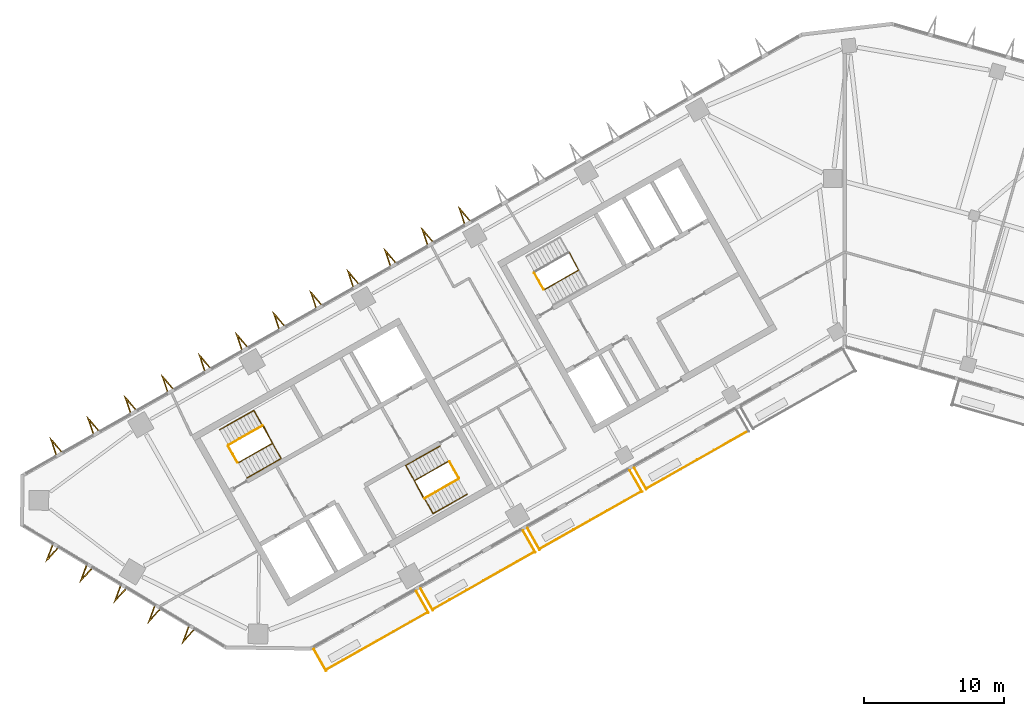
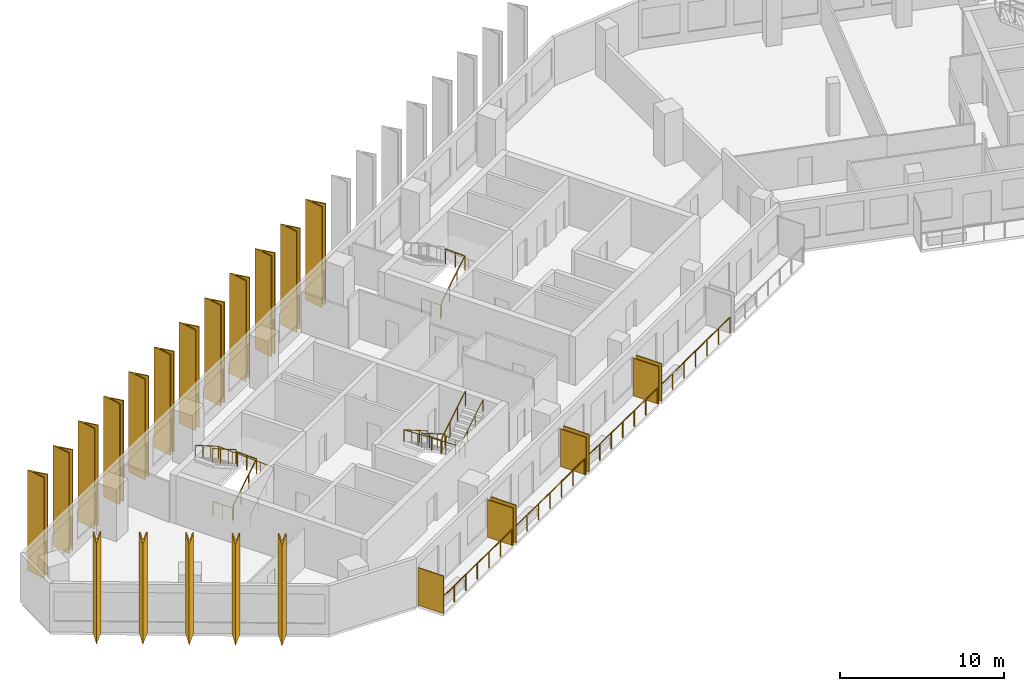
# One storey, part 9 of 11: 24 shading devices, 14 railings.
"""IFC4 building model written with IfcOpenShell, lengths in metres."""

from ifc_helpers import new_model, si_unit, direction, frame, origin, origin_2d, place, context, subcontext, project, spatial, polyline, rectangle, circle, outline, extrude, material, layer, layer_set, type_object, element, save


model = new_model("IFC4")

# Units and contexts
model_context = context("Model", 3, precision=1e-05, world=origin(), true_north=direction((0.0, 1.0)))
body_context = subcontext(model_context, "Body", "Model", "MODEL_VIEW")
ifc_project = project(units=[si_unit("LENGTHUNIT", "METRE"), si_unit("AREAUNIT", "SQUARE_METRE"), si_unit("VOLUMEUNIT", "CUBIC_METRE"), si_unit("PLANEANGLEUNIT", "RADIAN"), si_unit("MASSUNIT", "GRAM", prefix="KILO")], contexts=[model_context])

# Site, building, storey
site_placement = place(None, origin())
site = spatial("IfcSite", under=ifc_project, at=site_placement, CompositionType="ELEMENT")
building_placement = place(site_placement, origin())
building = spatial("IfcBuilding", under=site, at=building_placement, Name="Binnacle Exchange Tower", CompositionType="ELEMENT")
storey_placement = place(building_placement, frame((0.0, 0.0, 207.5)))
storey = spatial("IfcBuildingStorey", under=building, at=storey_placement, Name="L45", CompositionType="ELEMENT", Elevation=207.5)

# Railings
ifc_material_1 = material(Name="Bronze anodised aluminium frame", Category="aluminium")
railing_type_1 = type_object("IfcRailingType", Name="GUARD 1200", PredefinedType="GUARDRAIL", material=ifc_material_1)
railing_1_placement = place(storey_placement, frame((-37.006591796875, 24.94287109375, 0.0)))
element("IfcRailing", 1, at=railing_1_placement, inside=storey, type_object=railing_type_1, Name="Balcony guard G01-B00 L45", PredefinedType="GUARDRAIL", context=body_context, shape_type="SweptSolid", body=[
    extrude(circle(Radius=0.02392578125, at=origin_2d()), frame((0.0, 0.0, 1.17578125), z_axis=(0.870353267448, 0.492427852424, 0.0), x_axis=(-0.492427852424, 0.870353267448, 0.0)), (0.0, 0.0, 1.0), 8.334716796875),
    extrude(circle(Radius=0.02099609375, at=origin_2d()), origin(), (0.0, 0.0, 1.0), 1.15185546875),
    extrude(circle(Radius=0.02099609375, at=origin_2d()), frame((1.208984375, 0.68408203125, 0.0)), (0.0, 0.0, 1.0), 1.15185546875),
    extrude(circle(Radius=0.02099609375, at=origin_2d()), frame((2.41796875, 1.3681640625, 0.0)), (0.0, 0.0, 1.0), 1.15185546875),
    extrude(circle(Radius=0.02099609375, at=origin_2d()), frame((3.626953125, 2.05224609375, 0.0)), (0.0, 0.0, 1.0), 1.15185546875),
    extrude(circle(Radius=0.02099609375, at=origin_2d()), frame((4.836181640625, 2.736083984375, 0.0)), (0.0, 0.0, 1.0), 1.15185546875),
    extrude(circle(Radius=0.02099609375, at=origin_2d()), frame((6.045166015625, 3.420166015625, 0.0)), (0.0, 0.0, 1.0), 1.15185546875),
    extrude(circle(Radius=0.02099609375, at=origin_2d()), frame((7.254150390625, 4.104248046875, 0.0)), (0.0, 0.0, 1.0), 1.15185546875),
])
railing_2_placement = place(storey_placement, frame((-29.386962890625, 29.25390625, 0.0)))
element("IfcRailing", 2, at=railing_2_placement, inside=storey, type_object=railing_type_1, Name="Balcony guard G01-B01 L45", PredefinedType="GUARDRAIL", context=body_context, shape_type="SweptSolid", body=[
    extrude(circle(Radius=0.02392578125, at=origin_2d()), frame((0.0, 0.0, 1.17578125), z_axis=(0.870365821494, 0.492405662818, 0.0), x_axis=(-0.492405662818, 0.870365821494, 0.0)), (0.0, 0.0, 1.0), 8.334716796875),
    extrude(circle(Radius=0.02099609375, at=origin_2d()), origin(), (0.0, 0.0, 1.0), 1.15185546875),
    extrude(circle(Radius=0.02099609375, at=origin_2d()), frame((1.208984375, 0.68408203125, 0.0)), (0.0, 0.0, 1.0), 1.15185546875),
    extrude(circle(Radius=0.02099609375, at=origin_2d()), frame((2.41796875, 1.367919921875, 0.0)), (0.0, 0.0, 1.0), 1.15185546875),
    extrude(circle(Radius=0.02099609375, at=origin_2d()), frame((3.626953125, 2.052001953125, 0.0)), (0.0, 0.0, 1.0), 1.15185546875),
    extrude(circle(Radius=0.02099609375, at=origin_2d()), frame((4.836181640625, 2.736083984375, 0.0)), (0.0, 0.0, 1.0), 1.15185546875),
    extrude(circle(Radius=0.02099609375, at=origin_2d()), frame((6.045166015625, 3.419921875, 0.0)), (0.0, 0.0, 1.0), 1.15185546875),
    extrude(circle(Radius=0.02099609375, at=origin_2d()), frame((7.254150390625, 4.10400390625, 0.0)), (0.0, 0.0, 1.0), 1.15185546875),
])
for number, where, name in (
    (3, (-21.767333984375, 33.564697265625, 0.0), "Balcony guard G01-B02 L45"),
    (4, (-14.147705078125, 37.875732421875, 0.0), "Balcony guard G01-B03 L45"),
):
    element("IfcRailing", number, at=place(storey_placement, frame(where)), inside=storey, type_object=railing_type_1, Name=name, PredefinedType="GUARDRAIL", context=body_context, shape_type="SweptSolid", body=[
        extrude(circle(Radius=0.02392578125, at=origin_2d()), frame((0.0, 0.0, 1.17578125), z_axis=(0.8703461643, 0.49244040684, 0.0), x_axis=(-0.49244040684, 0.8703461643, 0.0)), (0.0, 0.0, 1.0), 8.33447265625),
        extrude(circle(Radius=0.02099609375, at=origin_2d()), origin(), (0.0, 0.0, 1.0), 1.15185546875),
        extrude(circle(Radius=0.02099609375, at=origin_2d()), frame((1.208984375, 0.68408203125, 0.0)), (0.0, 0.0, 1.0), 1.15185546875),
        extrude(circle(Radius=0.02099609375, at=origin_2d()), frame((2.41796875, 1.3681640625, 0.0)), (0.0, 0.0, 1.0), 1.15185546875),
        extrude(circle(Radius=0.02099609375, at=origin_2d()), frame((3.626953125, 2.05224609375, 0.0)), (0.0, 0.0, 1.0), 1.15185546875),
        extrude(circle(Radius=0.02099609375, at=origin_2d()), frame((4.8359375, 2.736083984375, 0.0)), (0.0, 0.0, 1.0), 1.15185546875),
        extrude(circle(Radius=0.02099609375, at=origin_2d()), frame((6.044921875, 3.420166015625, 0.0)), (0.0, 0.0, 1.0), 1.15185546875),
        extrude(circle(Radius=0.02099609375, at=origin_2d()), frame((7.25390625, 4.104248046875, 0.0)), (0.0, 0.0, 1.0), 1.15185546875),
    ])

# Shading devices
ifc_material_2 = material(Name="Bronze aluminium louvre", Category="aluminium")
ifc_layer = layer(ifc_material_2, 0.06005859375)
ifc_layer_set = layer_set([ifc_layer], Name="PLANTED SCREEN 60x2800")
shading_device_type_1 = type_object("IfcShadingDeviceType", Name="PLANTED SCREEN 60x2800", PredefinedType="USERDEFINED", material=ifc_layer_set)
for number, where, z_axis, x_axis, name in (
    (5, (-37.436279296875, 25.641845703125, 0.0), (0.0, 0.0, 1.0), (0.87035569594, 0.492423560103, 0.0), "Planted screen G01-B00a L45"),
    (6, (-30.130126953125, 29.775390625, 0.0), (0.0, 0.0, 1.0), (0.87035569594, 0.492423560103, 0.0), "Planted screen G01-B00b L45"),
    (7, (-29.81689453125, 29.95263671875, 0.0), (0.0, 0.0, 1.0), (0.87035569594, 0.492423560103, 0.0), "Planted screen G01-B01a L45"),
    (8, (-22.510498046875, 34.08642578125, 0.0), (0.0, 0.0, 1.0), (0.87035569594, 0.492423560103, 0.0), "Planted screen G01-B01b L45"),
    (9, (-22.197265625, 34.263671875, 0.0), (0.0, 0.0, 1.0), (0.87035569594, 0.492423560103, 0.0), "Planted screen G01-B02a L45"),
    (10, (-14.89111328125, 38.3974609375, 0.0), (0.0, 0.0, 1.0), (0.87035569594, 0.492423560103, 0.0), "Planted screen G01-B02b L45"),
    (11, (-14.57763671875, 38.57470703125, 0.0), (0.0, 0.0, 1.0), (0.87035569594, 0.492423560103, 0.0), "Planted screen G01-B03a L45"),
):
    element("IfcShadingDevice", number, at=place(storey_placement, frame(where, z_axis=z_axis, x_axis=x_axis)), inside=storey, type_object=shading_device_type_1, Name=name, ObjectType="SCREEN", PredefinedType="USERDEFINED", context=body_context, shape_type="SweptSolid", body=[
        extrude(rectangle(XDim=0.06005859375, YDim=1.800048828125, at=origin_2d()), origin(), (0.0, 0.0, 1.0), 2.800048828125),
    ])

# Railings
ifc_material_3 = material(Name="Steel guard rail", Category="steel")
railing_type_2 = type_object("IfcRailingType", Name="STAIR GUARD 1100", PredefinedType="GUARDRAIL", material=ifc_material_3)
railing_3_placement = place(storey_placement, frame((-43.26171875, 39.71728515625, 0.17724609375)))
element("IfcRailing", 12, at=railing_3_placement, inside=storey, type_object=railing_type_2, Name="L45 STA1 stair guard 1", PredefinedType="GUARDRAIL", context=body_context, shape_type="SweptSolid", body=[
    extrude(circle(Radius=0.02392578125, at=origin_2d()), frame((0.0, 0.0, 1.076171875), z_axis=(0.735358749054, 0.416079564682, 0.534906819964), x_axis=(-0.492453686477, 0.870338650569, 0.0)), (0.0, 0.0, 1.0), 3.31396484375),
    extrude(circle(Radius=0.02392578125, at=origin_2d()), frame((2.43701171875, 1.37890625, 2.8486328125), z_axis=(-0.461100321709, 0.887348011391, 0.0), x_axis=(-0.887348011391, -0.461100321709, 0.0)), (0.0, 0.0, 1.0), 1.40087890625),
    extrude(circle(Radius=0.02099609375, at=origin_2d()), origin(), (0.0, 0.0, 1.0), 1.052001953125),
    extrude(circle(Radius=0.02099609375, at=origin_2d()), frame((0.812255859375, 0.459716796875, 0.5908203125)), (0.0, 0.0, 1.0), 1.052001953125),
    extrude(circle(Radius=0.02099609375, at=origin_2d()), frame((1.624755859375, 0.919189453125, 1.181884765625)), (0.0, 0.0, 1.0), 1.052001953125),
    extrude(circle(Radius=0.02099609375, at=origin_2d()), frame((2.43701171875, 1.37890625, 1.772705078125)), (0.0, 0.0, 1.0), 1.052001953125),
    extrude(circle(Radius=0.02099609375, at=origin_2d()), frame((2.114013671875, 2.00048828125, 1.772705078125)), (0.0, 0.0, 1.0), 1.052001953125),
    extrude(circle(Radius=0.02099609375, at=origin_2d()), frame((1.791015625, 2.6220703125, 1.772705078125)), (0.0, 0.0, 1.0), 1.052001953125),
])
railing_4_placement = place(storey_placement, frame((-41.538818359375, 42.358154296875, 2.127197265625)))
element("IfcRailing", 13, at=railing_4_placement, inside=storey, type_object=railing_type_2, Name="L45 STA1 stair guard 2", PredefinedType="GUARDRAIL", context=body_context, shape_type="SweptSolid", body=[
    extrude(circle(Radius=0.02392578125, at=origin_2d()), frame((0.0, 0.0, 1.076171875), z_axis=(-0.735358749054, -0.416079564682, 0.534906819964), x_axis=(0.492453686477, -0.870338650569, 0.0)), (0.0, 0.0, 1.0), 3.31396484375),
    extrude(circle(Radius=0.02099609375, at=origin_2d()), origin(), (0.0, 0.0, 1.0), 1.052001953125),
    extrude(circle(Radius=0.02099609375, at=origin_2d()), frame((-0.812255859375, -0.459716796875, 0.5908203125)), (0.0, 0.0, 1.0), 1.052001953125),
    extrude(circle(Radius=0.02099609375, at=origin_2d()), frame((-1.624755859375, -0.919189453125, 1.181884765625)), (0.0, 0.0, 1.0), 1.052001953125),
    extrude(circle(Radius=0.02099609375, at=origin_2d()), frame((-2.43701171875, -1.37890625, 1.772705078125)), (0.0, 0.0, 1.0), 1.052001953125),
])
railing_5_placement = place(storey_placement, frame((-43.329833984375, 39.736328125, 0.0)))
element("IfcRailing", 14, at=railing_5_placement, inside=storey, type_object=railing_type_2, Name="L45 STA1 stair guard 3", PredefinedType="GUARDRAIL", context=body_context, shape_type="SweptSolid", body=[
    extrude(circle(Radius=0.02392578125, at=origin_2d()), frame((0.0, 0.0, 1.076171875), z_axis=(-0.4924922531, 0.870316827734, 0.0), x_axis=(-0.870316827734, -0.4924922531, 0.0)), (0.0, 0.0, 1.0), 1.349853515625),
    extrude(circle(Radius=0.02099609375, at=origin_2d()), origin(), (0.0, 0.0, 1.0), 1.052001953125),
    extrude(circle(Radius=0.02099609375, at=origin_2d()), frame((-0.33251953125, 0.58740234375, 0.0)), (0.0, 0.0, 1.0), 1.052001953125),
    extrude(circle(Radius=0.02099609375, at=origin_2d()), frame((-0.664794921875, 1.1748046875, 0.0)), (0.0, 0.0, 1.0), 1.052001953125),
])
railing_6_placement = place(storey_placement, frame((-28.265380859375, 39.814453125, 0.17724609375)))
element("IfcRailing", 15, at=railing_6_placement, inside=storey, type_object=railing_type_2, Name="L45 STA2 stair guard 1", PredefinedType="GUARDRAIL", context=body_context, shape_type="SweptSolid", body=[
    extrude(circle(Radius=0.02392578125, at=origin_2d()), frame((0.0, 0.0, 1.076171875), z_axis=(-0.735381288273, -0.416018647052, 0.534923215202), x_axis=(0.492387636113, -0.870376019777, 0.0)), (0.0, 0.0, 1.0), 3.31396484375),
    extrude(circle(Radius=0.02392578125, at=origin_2d()), frame((-2.43701171875, -1.378662109375, 2.8486328125), z_axis=(0.460963092712, -0.887419307406, 0.0), x_axis=(0.887419307406, 0.460963092712, 0.0)), (0.0, 0.0, 1.0), 1.40087890625),
    extrude(circle(Radius=0.02099609375, at=origin_2d()), origin(), (0.0, 0.0, 1.0), 1.052001953125),
    extrude(circle(Radius=0.02099609375, at=origin_2d()), frame((-0.812255859375, -0.45947265625, 0.5908203125)), (0.0, 0.0, 1.0), 1.052001953125),
    extrude(circle(Radius=0.02099609375, at=origin_2d()), frame((-1.624755859375, -0.919189453125, 1.181884765625)), (0.0, 0.0, 1.0), 1.052001953125),
    extrude(circle(Radius=0.02099609375, at=origin_2d()), frame((-2.43701171875, -1.378662109375, 1.772705078125)), (0.0, 0.0, 1.0), 1.052001953125),
    extrude(circle(Radius=0.02099609375, at=origin_2d()), frame((-2.1142578125, -2.000244140625, 1.772705078125)), (0.0, 0.0, 1.0), 1.052001953125),
    extrude(circle(Radius=0.02099609375, at=origin_2d()), frame((-1.791259765625, -2.621826171875, 1.772705078125)), (0.0, 0.0, 1.0), 1.052001953125),
])
railing_7_placement = place(storey_placement, frame((-29.988525390625, 37.173583984375, 2.127197265625)))
element("IfcRailing", 16, at=railing_7_placement, inside=storey, type_object=railing_type_2, Name="L45 STA2 stair guard 2", PredefinedType="GUARDRAIL", context=body_context, shape_type="SweptSolid", body=[
    extrude(circle(Radius=0.02392578125, at=origin_2d()), frame((0.0, 0.0, 1.076171875), z_axis=(0.735358749054, 0.416079564682, 0.534906819964), x_axis=(-0.492453686477, 0.870338650569, 0.0)), (0.0, 0.0, 1.0), 3.31396484375),
    extrude(circle(Radius=0.02099609375, at=origin_2d()), origin(), (0.0, 0.0, 1.0), 1.052001953125),
    extrude(circle(Radius=0.02099609375, at=origin_2d()), frame((0.812255859375, 0.459716796875, 0.5908203125)), (0.0, 0.0, 1.0), 1.052001953125),
    extrude(circle(Radius=0.02099609375, at=origin_2d()), frame((1.624755859375, 0.919189453125, 1.181884765625)), (0.0, 0.0, 1.0), 1.052001953125),
    extrude(circle(Radius=0.02099609375, at=origin_2d()), frame((2.43701171875, 1.37890625, 1.772705078125)), (0.0, 0.0, 1.0), 1.052001953125),
])
railing_8_placement = place(storey_placement, frame((-28.197265625, 39.795654296875, 0.0)))
element("IfcRailing", 17, at=railing_8_placement, inside=storey, type_object=railing_type_2, Name="L45 STA2 stair guard 3", PredefinedType="GUARDRAIL", context=body_context, shape_type="SweptSolid", body=[
    extrude(circle(Radius=0.02392578125, at=origin_2d()), frame((0.0, 0.0, 1.076171875), z_axis=(0.49241474071, -0.870360685654, 0.0), x_axis=(0.870360685654, 0.49241474071, 0.0)), (0.0, 0.0, 1.0), 1.35009765625),
    extrude(circle(Radius=0.02099609375, at=origin_2d()), origin(), (0.0, 0.0, 1.0), 1.052001953125),
    extrude(circle(Radius=0.02099609375, at=origin_2d()), frame((0.33251953125, -0.58740234375, 0.0)), (0.0, 0.0, 1.0), 1.052001953125),
    extrude(circle(Radius=0.02099609375, at=origin_2d()), frame((0.664794921875, -1.175048828125, 0.0)), (0.0, 0.0, 1.0), 1.052001953125),
])
railing_9_placement = place(storey_placement, frame((-21.423828125, 52.07275390625, 0.17724609375)))
element("IfcRailing", 18, at=railing_9_placement, inside=storey, type_object=railing_type_2, Name="L45 STC1 stair guard 1", PredefinedType="GUARDRAIL", context=body_context, shape_type="SweptSolid", body=[
    extrude(circle(Radius=0.02392578125, at=origin_2d()), frame((0.0, 0.0, 1.076171875), z_axis=(0.735381288273, 0.416018647052, 0.534923215202), x_axis=(-0.492387636113, 0.870376019777, 0.0)), (0.0, 0.0, 1.0), 3.31396484375),
    extrude(circle(Radius=0.02392578125, at=origin_2d()), frame((2.43701171875, 1.378662109375, 2.8486328125), z_axis=(-0.460963092712, 0.887419307406, 0.0), x_axis=(-0.887419307406, -0.460963092712, 0.0)), (0.0, 0.0, 1.0), 1.40087890625),
    extrude(circle(Radius=0.02099609375, at=origin_2d()), origin(), (0.0, 0.0, 1.0), 1.052001953125),
    extrude(circle(Radius=0.02099609375, at=origin_2d()), frame((0.812255859375, 0.45947265625, 0.5908203125)), (0.0, 0.0, 1.0), 1.052001953125),
    extrude(circle(Radius=0.02099609375, at=origin_2d()), frame((1.624755859375, 0.919189453125, 1.181884765625)), (0.0, 0.0, 1.0), 1.052001953125),
    extrude(circle(Radius=0.02099609375, at=origin_2d()), frame((2.43701171875, 1.378662109375, 1.772705078125)), (0.0, 0.0, 1.0), 1.052001953125),
    extrude(circle(Radius=0.02099609375, at=origin_2d()), frame((2.1142578125, 2.000244140625, 1.772705078125)), (0.0, 0.0, 1.0), 1.052001953125),
    extrude(circle(Radius=0.02099609375, at=origin_2d()), frame((1.791259765625, 2.621826171875, 1.772705078125)), (0.0, 0.0, 1.0), 1.052001953125),
])
railing_10_placement = place(storey_placement, frame((-21.491943359375, 52.091552734375, 0.0)))
element("IfcRailing", 19, at=railing_10_placement, inside=storey, type_object=railing_type_2, Name="L45 STC1 stair guard 3", PredefinedType="GUARDRAIL", context=body_context, shape_type="SweptSolid", body=[
    extrude(circle(Radius=0.02392578125, at=origin_2d()), frame((0.0, 0.0, 1.076171875), z_axis=(-0.49241474071, 0.870360685654, 0.0), x_axis=(-0.870360685654, -0.49241474071, 0.0)), (0.0, 0.0, 1.0), 1.35009765625),
    extrude(circle(Radius=0.02099609375, at=origin_2d()), origin(), (0.0, 0.0, 1.0), 1.052001953125),
    extrude(circle(Radius=0.02099609375, at=origin_2d()), frame((-0.33251953125, 0.58740234375, 0.0)), (0.0, 0.0, 1.0), 1.052001953125),
    extrude(circle(Radius=0.02099609375, at=origin_2d()), frame((-0.664794921875, 1.175048828125, 0.0)), (0.0, 0.0, 1.0), 1.052001953125),
])
ifc_material_4 = material(Name="Steel handrail", Category="steel")
railing_type_3 = type_object("IfcRailingType", Name="STAIR HANDRAIL 900", PredefinedType="HANDRAIL", material=ifc_material_4)
railing_11_placement = place(storey_placement, frame((-42.646240234375, 38.62939453125, 0.17724609375)))
element("IfcRailing", 20, at=railing_11_placement, inside=storey, type_object=railing_type_3, Name="L45 STA1 stair handrail 1", PredefinedType="HANDRAIL", context=body_context, shape_type="SweptSolid", body=[
    extrude(circle(Radius=0.02392578125, at=origin_2d()), frame((0.0, 0.0, 0.8759765625), z_axis=(0.735381288273, 0.416018647052, 0.534923215202), x_axis=(-0.492387636113, 0.870376019777, 0.0)), (0.0, 0.0, 1.0), 3.31396484375),
    extrude(circle(Radius=0.02392578125, at=origin_2d()), frame((2.43701171875, 1.378662109375, 2.6484375), z_axis=(-0.491918640963, 0.869486419234, 0.044826526087), x_axis=(-0.870361318571, -0.492413622004, 0.0)), (0.0, 0.0, 1.0), 3.9541015625),
    extrude(circle(Radius=0.02392578125, at=origin_2d()), frame((0.491943359375, 4.816650390625, 2.82568359375), z_axis=(-0.735381288273, -0.416018647052, 0.534923215202), x_axis=(0.492387636113, -0.870376019777, 0.0)), (0.0, 0.0, 1.0), 3.31396484375),
    extrude(circle(Radius=0.02099609375, at=origin_2d()), origin(), (0.0, 0.0, 1.0), 0.851806640625),
    extrude(circle(Radius=0.02099609375, at=origin_2d()), frame((0.812255859375, 0.45947265625, 0.5908203125)), (0.0, 0.0, 1.0), 0.851806640625),
    extrude(circle(Radius=0.02099609375, at=origin_2d()), frame((1.624755859375, 0.919189453125, 1.181884765625)), (0.0, 0.0, 1.0), 0.851806640625),
    extrude(circle(Radius=0.02099609375, at=origin_2d()), frame((2.43701171875, 1.378662109375, 1.772705078125)), (0.0, 0.0, 1.0), 0.851806640625),
    extrude(circle(Radius=0.02099609375, at=origin_2d()), frame((1.95068359375, 2.23828125, 1.81689453125)), (0.0, 0.0, 1.0), 0.851806640625),
    extrude(circle(Radius=0.02099609375, at=origin_2d()), frame((1.46435546875, 3.09765625, 1.861328125)), (0.0, 0.0, 1.0), 0.851806640625),
    extrude(circle(Radius=0.02099609375, at=origin_2d()), frame((0.978271484375, 3.95703125, 1.90576171875)), (0.0, 0.0, 1.0), 0.851806640625),
    extrude(circle(Radius=0.02099609375, at=origin_2d()), frame((0.491943359375, 4.816650390625, 1.949951171875)), (0.0, 0.0, 1.0), 0.851806640625),
    extrude(circle(Radius=0.02099609375, at=origin_2d()), frame((-0.3203125, 4.357177734375, 2.540771484375)), (0.0, 0.0, 1.0), 0.851806640625),
    extrude(circle(Radius=0.02099609375, at=origin_2d()), frame((-1.1328125, 3.8974609375, 3.1318359375)), (0.0, 0.0, 1.0), 0.851806640625),
    extrude(circle(Radius=0.02099609375, at=origin_2d()), frame((-1.945068359375, 3.43798828125, 3.72265625)), (0.0, 0.0, 1.0), 0.851806640625),
])
railing_12_placement = place(storey_placement, frame((-28.880859375, 40.90234375, 0.17724609375)))
element("IfcRailing", 21, at=railing_12_placement, inside=storey, type_object=railing_type_3, Name="L45 STA2 stair handrail 1", PredefinedType="HANDRAIL", context=body_context, shape_type="SweptSolid", body=[
    extrude(circle(Radius=0.02392578125, at=origin_2d()), frame((0.0, 0.0, 0.8759765625), z_axis=(-0.735381288273, -0.416018647052, 0.534923215202), x_axis=(0.492387636113, -0.870376019777, 0.0)), (0.0, 0.0, 1.0), 3.31396484375),
    extrude(circle(Radius=0.02392578125, at=origin_2d()), frame((-2.43701171875, -1.378662109375, 2.6484375), z_axis=(0.491918640963, -0.869486419234, 0.044826526087), x_axis=(0.870361318571, 0.492413622004, 0.0)), (0.0, 0.0, 1.0), 3.9541015625),
    extrude(circle(Radius=0.02392578125, at=origin_2d()), frame((-0.491943359375, -4.816650390625, 2.82568359375), z_axis=(0.735358749054, 0.416079564682, 0.534906819964), x_axis=(-0.492453686477, 0.870338650569, 0.0)), (0.0, 0.0, 1.0), 3.31396484375),
    extrude(circle(Radius=0.02099609375, at=origin_2d()), origin(), (0.0, 0.0, 1.0), 0.851806640625),
    extrude(circle(Radius=0.02099609375, at=origin_2d()), frame((-0.812255859375, -0.45947265625, 0.5908203125)), (0.0, 0.0, 1.0), 0.851806640625),
    extrude(circle(Radius=0.02099609375, at=origin_2d()), frame((-1.624755859375, -0.919189453125, 1.181884765625)), (0.0, 0.0, 1.0), 0.851806640625),
    extrude(circle(Radius=0.02099609375, at=origin_2d()), frame((-2.43701171875, -1.378662109375, 1.772705078125)), (0.0, 0.0, 1.0), 0.851806640625),
    extrude(circle(Radius=0.02099609375, at=origin_2d()), frame((-1.95068359375, -2.23828125, 1.81689453125)), (0.0, 0.0, 1.0), 0.851806640625),
    extrude(circle(Radius=0.02099609375, at=origin_2d()), frame((-1.46435546875, -3.09765625, 1.861328125)), (0.0, 0.0, 1.0), 0.851806640625),
    extrude(circle(Radius=0.02099609375, at=origin_2d()), frame((-0.978271484375, -3.95703125, 1.90576171875)), (0.0, 0.0, 1.0), 0.851806640625),
    extrude(circle(Radius=0.02099609375, at=origin_2d()), frame((-0.491943359375, -4.816650390625, 1.949951171875)), (0.0, 0.0, 1.0), 0.851806640625),
    extrude(circle(Radius=0.02099609375, at=origin_2d()), frame((0.3203125, -4.35693359375, 2.540771484375)), (0.0, 0.0, 1.0), 0.851806640625),
    extrude(circle(Radius=0.02099609375, at=origin_2d()), frame((1.1328125, -3.8974609375, 3.1318359375)), (0.0, 0.0, 1.0), 0.851806640625),
    extrude(circle(Radius=0.02099609375, at=origin_2d()), frame((1.945068359375, -3.437744140625, 3.72265625)), (0.0, 0.0, 1.0), 0.851806640625),
])

# Shading devices
ifc_material_5 = material(Name="Bronze aluminium cladding", Category="aluminium")
shading_device_type_2 = type_object("IfcShadingDeviceType", Name="V FIN 1300 DEEP x 7520 HIGH", PredefinedType="USERDEFINED", material=ifc_material_5)
shading_device_1_placement = place(storey_placement, origin())
element("IfcShadingDevice", 22, at=shading_device_1_placement, inside=storey, type_object=shading_device_type_2, Name="V fin FN-G08-09 L45", ObjectType="FIN", PredefinedType="USERDEFINED", context=body_context, shape_type="SweptSolid", body=[
    extrude(outline(polyline([(-26.72900390625, 57.02099609375), (-27.586669921875, 58.029541015625), (-27.1640625, 56.77490234375), (-27.09326171875, 56.81494140625), (-27.3779296875, 57.660888671875), (-26.7998046875, 56.98095703125), (-26.72900390625, 57.02099609375)])), origin(), (0.0, 0.0, 1.0), 7.52001953125),
])
shading_device_2_placement = place(storey_placement, origin())
element("IfcShadingDevice", 23, at=shading_device_2_placement, inside=storey, type_object=shading_device_type_2, Name="V fin FN-G08-10 L45", ObjectType="FIN", PredefinedType="USERDEFINED", context=body_context, shape_type="SweptSolid", body=[
    extrude(outline(polyline([(-29.377685546875, 55.5224609375), (-30.2353515625, 56.531005859375), (-29.812744140625, 55.2763671875), (-29.741943359375, 55.31640625), (-30.026611328125, 56.162109375), (-29.448486328125, 55.482421875), (-29.377685546875, 55.5224609375)])), origin(), (0.0, 0.0, 1.0), 7.52001953125),
])
shading_device_3_placement = place(storey_placement, origin())
element("IfcShadingDevice", 24, at=shading_device_3_placement, inside=storey, type_object=shading_device_type_2, Name="V fin FN-G08-11 L45", ObjectType="FIN", PredefinedType="USERDEFINED", context=body_context, shape_type="SweptSolid", body=[
    extrude(outline(polyline([(-32.0263671875, 54.02392578125), (-32.884033203125, 55.032470703125), (-32.46142578125, 53.77783203125), (-32.390625, 53.81787109375), (-32.67529296875, 54.663818359375), (-32.09716796875, 53.98388671875), (-32.0263671875, 54.02392578125)])), origin(), (0.0, 0.0, 1.0), 7.52001953125),
])
shading_device_4_placement = place(storey_placement, origin())
element("IfcShadingDevice", 25, at=shading_device_4_placement, inside=storey, type_object=shading_device_type_2, Name="V fin FN-G08-12 L45", ObjectType="FIN", PredefinedType="USERDEFINED", context=body_context, shape_type="SweptSolid", body=[
    extrude(outline(polyline([(-34.675048828125, 52.525390625), (-35.53271484375, 53.53369140625), (-35.110107421875, 52.279296875), (-35.039306640625, 52.3193359375), (-35.32421875, 53.1650390625), (-34.745849609375, 52.4853515625), (-34.675048828125, 52.525390625)])), origin(), (0.0, 0.0, 1.0), 7.52001953125),
])
shading_device_5_placement = place(storey_placement, origin())
element("IfcShadingDevice", 26, at=shading_device_5_placement, inside=storey, type_object=shading_device_type_2, Name="V fin FN-G08-13 L45", ObjectType="FIN", PredefinedType="USERDEFINED", context=body_context, shape_type="SweptSolid", body=[
    extrude(outline(polyline([(-37.32373046875, 51.02685546875), (-38.181640625, 52.03515625), (-37.759033203125, 50.780517578125), (-37.68798828125, 50.82080078125), (-37.972900390625, 51.66650390625), (-37.394775390625, 50.98681640625), (-37.32373046875, 51.02685546875)])), origin(), (0.0, 0.0, 1.0), 7.52001953125),
])
shading_device_6_placement = place(storey_placement, origin())
element("IfcShadingDevice", 27, at=shading_device_6_placement, inside=storey, type_object=shading_device_type_2, Name="V fin FN-G08-14 L45", ObjectType="FIN", PredefinedType="USERDEFINED", context=body_context, shape_type="SweptSolid", body=[
    extrude(outline(polyline([(-39.972412109375, 49.5283203125), (-40.830322265625, 50.53662109375), (-40.40771484375, 49.281982421875), (-40.3369140625, 49.322021484375), (-40.62158203125, 50.16796875), (-40.04345703125, 49.488037109375), (-39.972412109375, 49.5283203125)])), origin(), (0.0, 0.0, 1.0), 7.52001953125),
])
shading_device_7_placement = place(storey_placement, origin())
element("IfcShadingDevice", 28, at=shading_device_7_placement, inside=storey, type_object=shading_device_type_2, Name="V fin FN-G08-15 L45", ObjectType="FIN", PredefinedType="USERDEFINED", context=body_context, shape_type="SweptSolid", body=[
    extrude(outline(polyline([(-42.621337890625, 48.029541015625), (-43.47900390625, 49.0380859375), (-43.056396484375, 47.783447265625), (-42.985595703125, 47.823486328125), (-43.2705078125, 48.669189453125), (-42.692138671875, 47.989501953125), (-42.621337890625, 48.029541015625)])), origin(), (0.0, 0.0, 1.0), 7.52001953125),
])
shading_device_8_placement = place(storey_placement, origin())
element("IfcShadingDevice", 29, at=shading_device_8_placement, inside=storey, type_object=shading_device_type_2, Name="V fin FN-G08-16 L45", ObjectType="FIN", PredefinedType="USERDEFINED", context=body_context, shape_type="SweptSolid", body=[
    extrude(outline(polyline([(-45.27001953125, 46.531005859375), (-46.127685546875, 47.539306640625), (-45.705078125, 46.284912109375), (-45.63427734375, 46.324951171875), (-45.919189453125, 47.170654296875), (-45.3408203125, 46.490966796875), (-45.27001953125, 46.531005859375)])), origin(), (0.0, 0.0, 1.0), 7.52001953125),
])
shading_device_9_placement = place(storey_placement, origin())
element("IfcShadingDevice", 30, at=shading_device_9_placement, inside=storey, type_object=shading_device_type_2, Name="V fin FN-G08-17 L45", ObjectType="FIN", PredefinedType="USERDEFINED", context=body_context, shape_type="SweptSolid", body=[
    extrude(outline(polyline([(-47.918701171875, 45.032470703125), (-48.776611328125, 46.040771484375), (-48.35400390625, 44.7861328125), (-48.283203125, 44.826416015625), (-48.56787109375, 45.672119140625), (-47.98974609375, 44.9921875), (-47.918701171875, 45.032470703125)])), origin(), (0.0, 0.0, 1.0), 7.52001953125),
])
shading_device_10_placement = place(storey_placement, origin())
element("IfcShadingDevice", 31, at=shading_device_10_placement, inside=storey, type_object=shading_device_type_2, Name="V fin FN-G08-18 L45", ObjectType="FIN", PredefinedType="USERDEFINED", context=body_context, shape_type="SweptSolid", body=[
    extrude(outline(polyline([(-50.5673828125, 43.533935546875), (-51.42529296875, 44.542236328125), (-51.002685546875, 43.28759765625), (-50.931884765625, 43.327880859375), (-51.216552734375, 44.173583984375), (-50.638427734375, 43.493896484375), (-50.5673828125, 43.533935546875)])), origin(), (0.0, 0.0, 1.0), 7.52001953125),
])
shading_device_11_placement = place(storey_placement, origin())
element("IfcShadingDevice", 32, at=shading_device_11_placement, inside=storey, type_object=shading_device_type_2, Name="V fin FN-G08-19 L45", ObjectType="FIN", PredefinedType="USERDEFINED", context=body_context, shape_type="SweptSolid", body=[
    extrude(outline(polyline([(-53.21630859375, 42.035400390625), (-54.073974609375, 43.043701171875), (-53.6513671875, 41.7890625), (-53.58056640625, 41.8291015625), (-53.865234375, 42.675048828125), (-53.287109375, 41.9951171875), (-53.21630859375, 42.035400390625)])), origin(), (0.0, 0.0, 1.0), 7.52001953125),
])
shading_device_12_placement = place(storey_placement, origin())
element("IfcShadingDevice", 33, at=shading_device_12_placement, inside=storey, type_object=shading_device_type_2, Name="V fin FN-G08-20 L45", ObjectType="FIN", PredefinedType="USERDEFINED", context=body_context, shape_type="SweptSolid", body=[
    extrude(outline(polyline([(-55.864990234375, 40.53662109375), (-56.722900390625, 41.545166015625), (-56.30029296875, 40.29052734375), (-56.229248046875, 40.33056640625), (-56.51416015625, 41.176513671875), (-55.935791015625, 40.49658203125), (-55.864990234375, 40.53662109375)])), origin(), (0.0, 0.0, 1.0), 7.52001953125),
])
shading_device_13_placement = place(storey_placement, origin())
element("IfcShadingDevice", 34, at=shading_device_13_placement, inside=storey, type_object=shading_device_type_2, Name="V fin FN-G10-01 L45", ObjectType="FIN", PredefinedType="USERDEFINED", context=body_context, shape_type="SweptSolid", body=[
    extrude(outline(polyline([(-56.566162109375, 33.842529296875), (-57.021240234375, 32.599365234375), (-56.137451171875, 33.5849609375), (-56.207275390625, 33.626953125), (-56.80322265625, 32.96240234375), (-56.496337890625, 33.800537109375), (-56.566162109375, 33.842529296875)])), origin(), (0.0, 0.0, 1.0), 7.52001953125),
])
shading_device_14_placement = place(storey_placement, origin())
element("IfcShadingDevice", 35, at=shading_device_14_placement, inside=storey, type_object=shading_device_type_2, Name="V fin FN-G10-02 L45", ObjectType="FIN", PredefinedType="USERDEFINED", context=body_context, shape_type="SweptSolid", body=[
    extrude(outline(polyline([(-54.137451171875, 32.38330078125), (-54.592529296875, 31.14013671875), (-53.708740234375, 32.12548828125), (-53.778564453125, 32.16748046875), (-54.37451171875, 31.503173828125), (-54.067626953125, 32.34130859375), (-54.137451171875, 32.38330078125)])), origin(), (0.0, 0.0, 1.0), 7.52001953125),
])
shading_device_15_placement = place(storey_placement, origin())
element("IfcShadingDevice", 36, at=shading_device_15_placement, inside=storey, type_object=shading_device_type_2, Name="V fin FN-G10-03 L45", ObjectType="FIN", PredefinedType="USERDEFINED", context=body_context, shape_type="SweptSolid", body=[
    extrude(outline(polyline([(-51.708740234375, 30.923828125), (-52.1640625, 29.680908203125), (-51.2802734375, 30.666259765625), (-51.35009765625, 30.708251953125), (-51.94580078125, 30.0439453125), (-51.638916015625, 30.8818359375), (-51.708740234375, 30.923828125)])), origin(), (0.0, 0.0, 1.0), 7.52001953125),
])
shading_device_16_placement = place(storey_placement, origin())
element("IfcShadingDevice", 37, at=shading_device_16_placement, inside=storey, type_object=shading_device_type_2, Name="V fin FN-G10-04 L45", ObjectType="FIN", PredefinedType="USERDEFINED", context=body_context, shape_type="SweptSolid", body=[
    extrude(outline(polyline([(-49.280029296875, 29.464599609375), (-49.7353515625, 28.2216796875), (-48.8515625, 29.20703125), (-48.92138671875, 29.2490234375), (-49.51708984375, 28.584716796875), (-49.210205078125, 29.422607421875), (-49.280029296875, 29.464599609375)])), origin(), (0.0, 0.0, 1.0), 7.52001953125),
])
shading_device_17_placement = place(storey_placement, origin())
element("IfcShadingDevice", 38, at=shading_device_17_placement, inside=storey, type_object=shading_device_type_2, Name="V fin FN-G10-05 L45", ObjectType="FIN", PredefinedType="USERDEFINED", context=body_context, shape_type="SweptSolid", body=[
    extrude(outline(polyline([(-46.8515625, 28.00537109375), (-47.306640625, 26.76220703125), (-46.4228515625, 27.747802734375), (-46.49267578125, 27.789794921875), (-47.088623046875, 27.12548828125), (-46.78173828125, 27.96337890625), (-46.8515625, 28.00537109375)])), origin(), (0.0, 0.0, 1.0), 7.52001953125),
])

save(model, "model.ifc")
